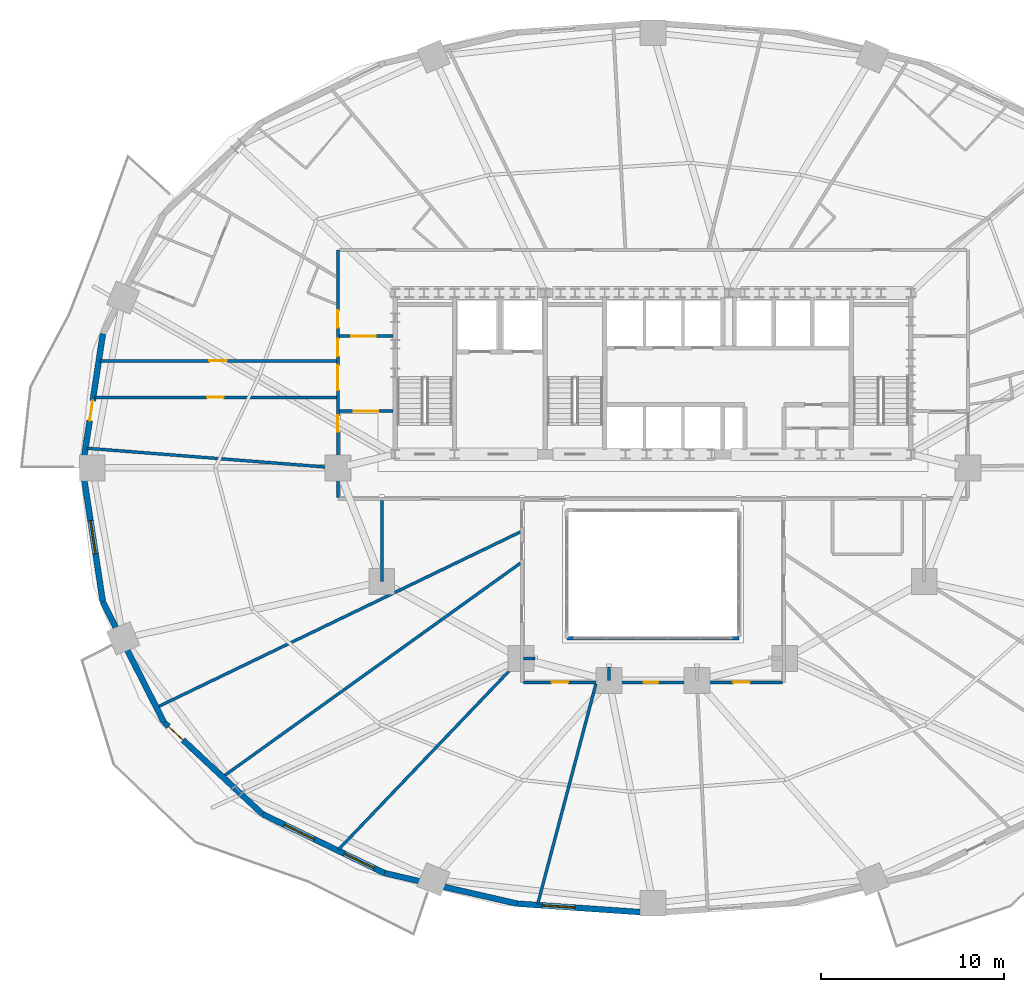
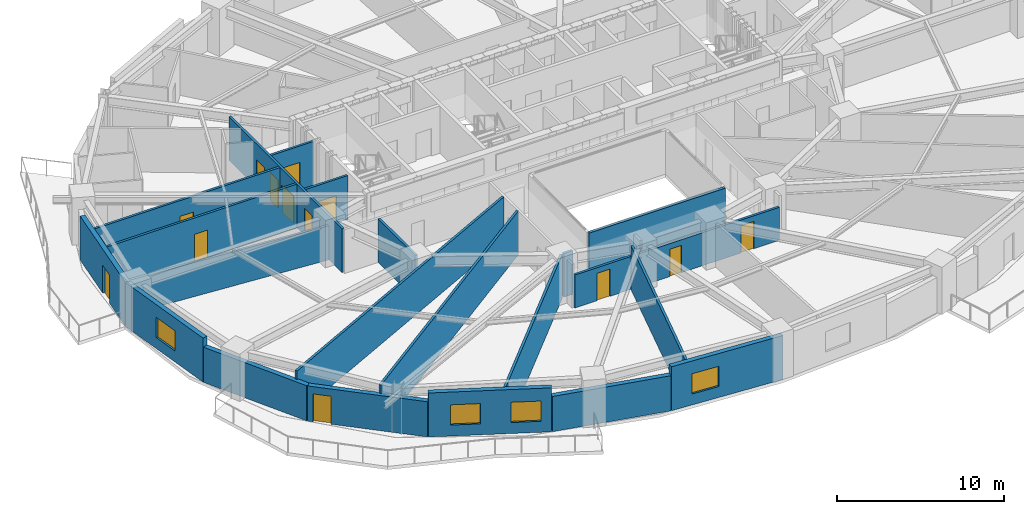
# One storey, part 9 of 17: 22 walls, 13 doors, 4 windows, 17 openings.
"""IFC4 building model written with IfcOpenShell, lengths in metres."""

from ifc_helpers import new_model, si_unit, direction, frame, frame_2d, origin, place, context, subcontext, project, spatial, rectangle, extrude, material, layer, layer_set, type_object, element, fill, save


model = new_model("IFC4")

# Units and contexts
model_context = context("Model", 3, precision=1e-05, world=origin(), true_north=direction((0.0, 1.0)))
body_context = subcontext(model_context, "Body", "Model", "MODEL_VIEW")
ifc_project = project(units=[si_unit("LENGTHUNIT", "METRE"), si_unit("AREAUNIT", "SQUARE_METRE"), si_unit("VOLUMEUNIT", "CUBIC_METRE"), si_unit("PLANEANGLEUNIT", "RADIAN"), si_unit("MASSUNIT", "GRAM", prefix="KILO")], contexts=[model_context])

# Site, building, storey
site_placement = place(None, origin())
site = spatial("IfcSite", under=ifc_project, at=site_placement, CompositionType="ELEMENT")
building_placement = place(site_placement, origin())
building = spatial("IfcBuilding", under=site, at=building_placement, Name="Haldorwick Loom Tower", CompositionType="ELEMENT")
storey_placement = place(building_placement, frame((0.0, 0.0, 37.800048828125)))
storey = spatial("IfcBuildingStorey", under=building, at=storey_placement, Name="L09", CompositionType="ELEMENT", Elevation=37.800048828125)

# Wall, opening, door
ifc_material_1 = material(Name="Pressed Clay Face Brick and Insulated Masonry Backup Assembly", Category="masonry")
ifc_layer_1 = layer(ifc_material_1, 0.320068359375, Name="Pressed Clay Face Brick and Insulated Masonry Backup Assembly", Category="masonry")
ifc_layer_set_1 = layer_set([ifc_layer_1], Name="Pressed Clay Face Brick and Insulated Masonry Backup Assembly")
wall_type_1 = type_object("IfcWallType", Name="ARC-WL-EXT320", PredefinedType="STANDARD", material=ifc_layer_set_1)
wall_1_placement = place(storey_placement, frame((5.978271484375, 33.320556640625, 0.0), z_axis=(0.0, 0.0, 1.0), x_axis=(-0.150476322528, -0.988613613278, 0.0)))
wall_1 = element("IfcWall", 1, at=wall_1_placement, inside=storey, type_object=wall_type_1, Name="L09 Brick Pier and Spandrel Wall 12", PredefinedType="STANDARD", context=body_context, shape_type="SweptSolid", body=[
    extrude(rectangle(XDim=7.40478515625, YDim=0.320068359375, at=frame_2d((3.702392578125, 0.0))), origin(), (0.0, 0.0, 1.0), 3.2099609375),
])
opening_1_placement = place(wall_1_placement, frame((3.702880859375, 0.0, 0.0)))
opening_1 = element("IfcOpeningElement", 2, at=opening_1_placement, cuts=wall_1, Name="Opening D-BL11", PredefinedType="OPENING", context=body_context, shape_type="SweptSolid", body=[
    extrude(rectangle(XDim=1.080078125, YDim=2.0400390625, at=frame_2d((0.5400390625, 1.02001953125))), frame((0.0, 0.169921875, 0.0), z_axis=(0.0, -1.0, 0.0), x_axis=(1.0, 0.0, 0.0)), (0.0, 0.0, 1.0), 0.340087890625),
])
ifc_material_2 = material(Name="Thermally Broken Anodized Aluminium Curtain Wall Framing", Category="aluminium")
door_type_1 = type_object("IfcDoorType", Name="ARC-DR-BAL110", OperationType="NOTDEFINED", PredefinedType="DOOR", material=ifc_material_2)
door_1_placement = place(opening_1_placement, origin())
door_1 = element("IfcDoor", 3, at=door_1_placement, inside=storey, type_object=door_type_1, Name="L09 Outdoor Terrace Door SLB-L09-BAL_WNW", OperationType="SINGLE_SWING_LEFT", OverallHeight=2.0400390625, OverallWidth=1.080078125, PredefinedType="DOOR", context=body_context, shape_type="SweptSolid", body=[
    extrude(rectangle(XDim=1.080078125, YDim=2.0400390625, at=frame_2d((0.5400390625, 1.02001953125))), frame((0.0, 0.02490234375, 0.0), z_axis=(0.0, -1.0, 0.0), x_axis=(1.0, 0.0, 0.0)), (0.0, 0.0, 1.0), 0.050048828125),
])
fill(opening_1, door_1)

# Wall, opening, window
wall_2_placement = place(storey_placement, frame((4.864013671875, 26.0, 0.0), z_axis=(0.0, 0.0, 1.0), x_axis=(0.150476322528, -0.988613613278, 0.0)))
wall_2 = element("IfcWall", 4, at=wall_2_placement, inside=storey, type_object=wall_type_1, Name="L09 Brick Pier and Spandrel Wall 13", PredefinedType="STANDARD", context=body_context, shape_type="SweptSolid", body=[
    extrude(rectangle(XDim=7.40478515625, YDim=0.320068359375, at=frame_2d((3.702392578125, 0.0))), origin(), (0.0, 0.0, 1.0), 3.2099609375),
])
opening_2_placement = place(wall_2_placement, frame((2.922607421875, 0.0, 0.800048828125)))
opening_2 = element("IfcOpeningElement", 5, at=opening_2_placement, cuts=wall_2, Name="Opening W-01", PredefinedType="OPENING", context=body_context, shape_type="SweptSolid", body=[
    extrude(rectangle(XDim=1.800048828125, YDim=1.47998046875, at=frame_2d((0.89990234375, 0.739990234375))), frame((0.0, 0.169921875, 0.0), z_axis=(0.0, -1.0, 0.0), x_axis=(1.0, 0.0, 0.0)), (0.0, 0.0, 1.0), 0.340087890625),
])
ifc_material_3 = material(Name="Triple-Glazed Low-E Argon Insulated Glazing Unit", Category="glass")
window_type = type_object("IfcWindowType", Name="ARC-WIN-W180", PartitioningType="SINGLE_PANEL", PredefinedType="WINDOW", material=ifc_material_3)
window_1_placement = place(opening_2_placement, origin())
window_1 = element("IfcWindow", 6, at=window_1_placement, inside=storey, type_object=window_type, Name="L09 Deep-Set Zone 7A Window 13", OverallHeight=1.47998046875, OverallWidth=1.800048828125, PartitioningType="SINGLE_PANEL", PredefinedType="WINDOW", context=body_context, shape_type="SweptSolid", body=[
    extrude(rectangle(XDim=1.800048828125, YDim=1.47998046875, at=frame_2d((0.89990234375, 0.739990234375))), frame((0.0, 0.030029296875, 0.0), z_axis=(0.0, -1.0, 0.0), x_axis=(1.0, 0.0, 0.0)), (0.0, 0.0, 1.0), 0.06005859375),
])
fill(opening_2, window_1)

# Wall
wall_3_placement = place(storey_placement, frame((5.978271484375, 18.679443359375, 0.0), z_axis=(0.0, 0.0, 1.0), x_axis=(0.452950855928, -0.891535485617, 0.0)))
element("IfcWall", 7, at=wall_3_placement, inside=storey, type_object=wall_type_1, Name="L09 Brick Pier and Spandrel Wall 14", PredefinedType="STANDARD", context=body_context, shape_type="SweptSolid", body=[
    extrude(rectangle(XDim=7.3583984375, YDim=0.320068359375, at=frame_2d((3.67919921875, 0.0))), origin(), (0.0, 0.0, 1.0), 2.56884765625),
])

# Wall, opening, door
wall_4_placement = place(storey_placement, frame((9.311279296875, 12.119140625, 0.0), z_axis=(0.0, 0.0, 1.0), x_axis=(0.73176101237, -0.681561311091, 0.0)))
wall_4 = element("IfcWall", 8, at=wall_4_placement, inside=storey, type_object=wall_type_1, Name="L09 Brick Pier and Spandrel Wall 15", PredefinedType="STANDARD", context=body_context, shape_type="SweptSolid", body=[
    extrude(rectangle(XDim=7.3583984375, YDim=0.320068359375, at=frame_2d((3.67919921875, 0.0))), origin(), (0.0, 0.0, 1.0), 2.56884765625),
])
opening_3_placement = place(wall_4_placement, frame((0.340087890625, 0.0, 0.0)))
opening_3 = element("IfcOpeningElement", 9, at=opening_3_placement, cuts=wall_4, Name="Opening D-BL11", PredefinedType="OPENING", context=body_context, shape_type="SweptSolid", body=[
    extrude(rectangle(XDim=1.080078125, YDim=2.0400390625, at=frame_2d((0.5400390625, 1.02001953125))), frame((0.0, 0.169921875, 0.0), z_axis=(0.0, -1.0, 0.0), x_axis=(1.0, 0.0, 0.0)), (0.0, 0.0, 1.0), 0.340087890625),
])
door_2_placement = place(opening_3_placement, origin())
door_2 = element("IfcDoor", 10, at=door_2_placement, inside=storey, type_object=door_type_1, Name="L09 Outdoor Terrace Door SLB-L09-BAL_SW", OperationType="SINGLE_SWING_LEFT", OverallHeight=2.0400390625, OverallWidth=1.080078125, PredefinedType="DOOR", context=body_context, shape_type="SweptSolid", body=[
    extrude(rectangle(XDim=1.080078125, YDim=2.0400390625, at=frame_2d((0.5400390625, 1.02001953125))), frame((0.0, 0.02490234375, 0.0), z_axis=(0.0, -1.0, 0.0), x_axis=(1.0, 0.0, 0.0)), (0.0, 0.0, 1.0), 0.050048828125),
])
fill(opening_3, door_2)

# Wall, openings, windows
wall_5_placement = place(storey_placement, frame((14.69580078125, 7.10400390625, 0.0), z_axis=(0.0, 0.0, 1.0), x_axis=(0.900295710431, -0.435278800057, 0.0)))
wall_5 = element("IfcWall", 11, at=wall_5_placement, inside=storey, type_object=wall_type_1, Name="L09 Brick Pier and Spandrel Wall 16", PredefinedType="STANDARD", context=body_context, shape_type="SweptSolid", body=[
    extrude(rectangle(XDim=7.39697265625, YDim=0.320068359375, at=frame_2d((3.698486328125, 0.0))), origin(), (0.0, 0.0, 1.0), 3.2099609375),
])
opening_4_placement = place(wall_5_placement, frame((1.319091796875, 0.0, 0.800048828125)))
opening_4 = element("IfcOpeningElement", 12, at=opening_4_placement, cuts=wall_5, Name="Opening W-01", PredefinedType="OPENING", context=body_context, shape_type="SweptSolid", body=[
    extrude(rectangle(XDim=1.800048828125, YDim=1.47998046875, at=frame_2d((0.89990234375, 0.739990234375))), frame((0.0, 0.169921875, 0.0), z_axis=(0.0, -1.0, 0.0), x_axis=(1.0, 0.0, 0.0)), (0.0, 0.0, 1.0), 0.340087890625),
])
opening_5_placement = place(wall_5_placement, frame((4.957275390625, 0.0, 0.800048828125)))
opening_5 = element("IfcOpeningElement", 13, at=opening_5_placement, cuts=wall_5, Name="Opening W-01", PredefinedType="OPENING", context=body_context, shape_type="SweptSolid", body=[
    extrude(rectangle(XDim=1.800048828125, YDim=1.47998046875, at=frame_2d((0.89990234375, 0.739990234375))), frame((0.0, 0.169921875, 0.0), z_axis=(0.0, -1.0, 0.0), x_axis=(1.0, 0.0, 0.0)), (0.0, 0.0, 1.0), 0.340087890625),
])
window_2_placement = place(opening_4_placement, origin())
window_2 = element("IfcWindow", 14, at=window_2_placement, inside=storey, type_object=window_type, Name="L09 Deep-Set Zone 7A Window 16", OverallHeight=1.47998046875, OverallWidth=1.800048828125, PartitioningType="SINGLE_PANEL", PredefinedType="WINDOW", context=body_context, shape_type="SweptSolid", body=[
    extrude(rectangle(XDim=1.800048828125, YDim=1.47998046875, at=frame_2d((0.89990234375, 0.739990234375))), frame((0.0, 0.030029296875, 0.0), z_axis=(0.0, -1.0, 0.0), x_axis=(1.0, 0.0, 0.0)), (0.0, 0.0, 1.0), 0.06005859375),
])
fill(opening_4, window_2)
window_3_placement = place(opening_5_placement, origin())
window_3 = element("IfcWindow", 15, at=window_3_placement, inside=storey, type_object=window_type, Name="L09 Deep-Set Zone 7A Window 16", OverallHeight=1.47998046875, OverallWidth=1.800048828125, PartitioningType="SINGLE_PANEL", PredefinedType="WINDOW", context=body_context, shape_type="SweptSolid", body=[
    extrude(rectangle(XDim=1.800048828125, YDim=1.47998046875, at=frame_2d((0.89990234375, 0.739990234375))), frame((0.0, 0.030029296875, 0.0), z_axis=(0.0, -1.0, 0.0), x_axis=(1.0, 0.0, 0.0)), (0.0, 0.0, 1.0), 0.06005859375),
])
fill(opening_5, window_3)

# Wall
wall_6_placement = place(storey_placement, frame((21.355224609375, 3.88427734375, 0.0), z_axis=(0.0, 0.0, 1.0), x_axis=(0.974522412345, -0.224290142088, 0.0)))
element("IfcWall", 16, at=wall_6_placement, inside=storey, type_object=wall_type_1, Name="L09 Brick Pier and Spandrel Wall 17", PredefinedType="STANDARD", context=body_context, shape_type="SweptSolid", body=[
    extrude(rectangle(XDim=7.422607421875, YDim=0.320068359375, at=frame_2d((3.71142578125, 0.0))), origin(), (0.0, 0.0, 1.0), 2.56884765625),
])

# Wall, opening, window
wall_7_placement = place(storey_placement, frame((28.588623046875, 2.219482421875, 0.0), z_axis=(0.0, 0.0, 1.0), x_axis=(0.997645161917, -0.068586667092, 0.0)))
wall_7 = element("IfcWall", 17, at=wall_7_placement, inside=storey, type_object=wall_type_1, Name="L09 Brick Pier and Spandrel Wall 18", PredefinedType="STANDARD", context=body_context, shape_type="SweptSolid", body=[
    extrude(rectangle(XDim=7.428955078125, YDim=0.320068359375, at=frame_2d((3.71435546875, 0.0))), origin(), (0.0, 0.0, 1.0), 3.2099609375),
])
opening_6_placement = place(wall_7_placement, frame((1.365966796875, 0.0, 0.800048828125)))
opening_6 = element("IfcOpeningElement", 18, at=opening_6_placement, cuts=wall_7, Name="Opening W-01", PredefinedType="OPENING", context=body_context, shape_type="SweptSolid", body=[
    extrude(rectangle(XDim=1.800048828125, YDim=1.47998046875, at=frame_2d((0.89990234375, 0.739990234375))), frame((0.0, 0.169921875, 0.0), z_axis=(0.0, -1.0, 0.0), x_axis=(1.0, 0.0, 0.0)), (0.0, 0.0, 1.0), 0.340087890625),
])
window_4_placement = place(opening_6_placement, origin())
window_4 = element("IfcWindow", 19, at=window_4_placement, inside=storey, type_object=window_type, Name="L09 Deep-Set Zone 7A Window 18", OverallHeight=1.47998046875, OverallWidth=1.800048828125, PartitioningType="SINGLE_PANEL", PredefinedType="WINDOW", context=body_context, shape_type="SweptSolid", body=[
    extrude(rectangle(XDim=1.800048828125, YDim=1.47998046875, at=frame_2d((0.89990234375, 0.739990234375))), frame((0.0, 0.030029296875, 0.0), z_axis=(0.0, -1.0, 0.0), x_axis=(1.0, 0.0, 0.0)), (0.0, 0.0, 1.0), 0.06005859375),
])
fill(opening_6, window_4)

# Wall, openings, doors
ifc_material_4 = material(Name="Fire-Rated Type X Gypsum Stud Assembly EI 60")
ifc_layer_2 = layer(ifc_material_4, 0.159912109375, Name="Fire-Rated Type X Gypsum Stud Assembly EI 60")
ifc_layer_set_2 = layer_set([ifc_layer_2], Name="Fire-Rated Type X Gypsum Stud Assembly EI 60")
wall_type_2 = type_object("IfcWallType", Name="ARC-WL-FIRE160", PredefinedType="PARTITIONING", material=ifc_layer_set_2)
wall_8_placement = place(storey_placement, frame((18.800048828125, 24.383056640625, 0.0), z_axis=(0.0, 0.0, 1.0), x_axis=(0.0, 1.0, 0.0)))
wall_8 = element("IfcWall", 20, at=wall_8_placement, inside=storey, type_object=wall_type_2, Name="L09 Residential Fire Partition L09-CR-W0", PredefinedType="PARTITIONING", context=body_context, shape_type="SweptSolid", body=[
    extrude(rectangle(XDim=13.516845703125, YDim=0.159912109375, at=frame_2d((6.75830078125, 0.0))), origin(), (0.0, 0.0, 1.0), 3.195068359375),
])
opening_7_placement = place(wall_8_placement, frame((5.86181640625, 0.0, 0.0)))
opening_7 = element("IfcOpeningElement", 21, at=opening_7_placement, cuts=wall_8, Name="Opening D-CR15", PredefinedType="OPENING", context=body_context, shape_type="SweptSolid", body=[
    extrude(rectangle(XDim=1.35009765625, YDim=2.0, at=frame_2d((0.675048828125, 1.0))), frame((0.0, 0.08984375, 0.0), z_axis=(0.0, -1.0, 0.0), x_axis=(1.0, 0.0, 0.0)), (0.0, 0.0, 1.0), 0.179931640625),
])
opening_8_placement = place(wall_8_placement, frame((3.5908203125, 0.0, 0.0)))
opening_8 = element("IfcOpeningElement", 22, at=opening_8_placement, cuts=wall_8, Name="Opening D-FD60A", PredefinedType="OPENING", context=body_context, shape_type="SweptSolid", body=[
    extrude(rectangle(XDim=0.89990234375, YDim=2.0, at=frame_2d((0.449951171875, 1.0))), frame((0.0, 0.08984375, 0.0), z_axis=(0.0, -1.0, 0.0), x_axis=(1.0, 0.0, 0.0)), (0.0, 0.0, 1.0), 0.179931640625),
])
opening_9_placement = place(wall_8_placement, frame((9.27490234375, 0.0, 0.0)))
opening_9 = element("IfcOpeningElement", 23, at=opening_9_placement, cuts=wall_8, Name="Opening D-FL95", PredefinedType="OPENING", context=body_context, shape_type="SweptSolid", body=[
    extrude(rectangle(XDim=0.949951171875, YDim=2.0400390625, at=frame_2d((0.47509765625, 1.02001953125))), frame((0.0, 0.08984375, 0.0), z_axis=(0.0, -1.0, 0.0), x_axis=(1.0, 0.0, 0.0)), (0.0, 0.0, 1.0), 0.179931640625),
])
opening_10_placement = place(wall_8_placement, frame((7.723876953125, 0.0, 0.0)))
opening_10 = element("IfcOpeningElement", 24, at=opening_10_placement, cuts=wall_8, Name="Opening D-FL95", PredefinedType="OPENING", context=body_context, shape_type="SweptSolid", body=[
    extrude(rectangle(XDim=0.949951171875, YDim=2.0400390625, at=frame_2d((0.47509765625, 1.02001953125))), frame((0.0, 0.08984375, 0.0), z_axis=(0.0, -1.0, 0.0), x_axis=(1.0, 0.0, 0.0)), (0.0, 0.0, 1.0), 0.179931640625),
])
ifc_material_5 = material(Name="Thermally Broken Anodized Aluminium and Tempered Glass", Category="aluminium")
door_type_2 = type_object("IfcDoorType", Name="ARC-DR-COR150", OperationType="NOTDEFINED", PredefinedType="DOOR", material=ifc_material_5)
door_3_placement = place(opening_7_placement, origin())
door_3 = element("IfcDoor", 25, at=door_3_placement, inside=storey, type_object=door_type_2, Name="L09 L09 West Daylight Corridor to L09 West Residential Corridor Door", OperationType="DOUBLE_DOOR_SINGLE_SWING", OverallHeight=2.0, OverallWidth=1.35009765625, PredefinedType="DOOR", context=body_context, shape_type="SweptSolid", body=[
    extrude(rectangle(XDim=1.35009765625, YDim=2.0, at=frame_2d((0.675048828125, 1.0))), frame((0.0, 0.02490234375, 0.0), z_axis=(0.0, -1.0, 0.0), x_axis=(1.0, 0.0, 0.0)), (0.0, 0.0, 1.0), 0.050048828125),
])
fill(opening_7, door_3)
ifc_material_6 = material(Name="Hollow Steel Fire Door Assembly", Category="steel")
door_type_3 = type_object("IfcDoorType", Name="ARC-DR-FD60-90", OperationType="NOTDEFINED", PredefinedType="DOOR", material=ifc_material_6)
door_4_placement = place(opening_8_placement, frame((0.89990234375, 0.0, 0.0), z_axis=(0.0, 0.0, 1.0), x_axis=(-1.0, 0.0, 0.0)))
door_4 = element("IfcDoor", 26, at=door_4_placement, inside=storey, type_object=door_type_3, Name="L09 Community Library Room 1 to L09 Central Residential Corridor Door", OperationType="SINGLE_SWING_LEFT", OverallHeight=2.0, OverallWidth=0.89990234375, PredefinedType="DOOR", context=body_context, shape_type="SweptSolid", body=[
    extrude(rectangle(XDim=0.89990234375, YDim=2.0, at=frame_2d((0.449951171875, 1.0))), frame((0.0, 0.02490234375, 0.0), z_axis=(0.0, -1.0, 0.0), x_axis=(1.0, 0.0, 0.0)), (0.0, 0.0, 1.0), 0.050048828125),
])
fill(opening_8, door_4)
ifc_material_7 = material(Name="Solid Core Birch Architectural Door")
door_type_4 = type_object("IfcDoorType", Name="ARC-DR-FLAT95", OperationType="NOTDEFINED", PredefinedType="DOOR", material=ifc_material_7)
door_5_placement = place(opening_9_placement, frame((0.949951171875, 0.0, 0.0), z_axis=(0.0, 0.0, 1.0), x_axis=(-1.0, 0.0, 0.0)))
door_5 = element("IfcDoor", 27, at=door_5_placement, inside=storey, type_object=door_type_4, Name="L09 Unit 09A Kitchen and Living Room to L09 North Residential Corridor D", OperationType="SINGLE_SWING_LEFT", OverallHeight=2.0400390625, OverallWidth=0.949951171875, PredefinedType="DOOR", context=body_context, shape_type="SweptSolid", body=[
    extrude(rectangle(XDim=0.949951171875, YDim=2.0400390625, at=frame_2d((0.47509765625, 1.02001953125))), frame((0.0, 0.02490234375, 0.0), z_axis=(0.0, -1.0, 0.0), x_axis=(1.0, 0.0, 0.0)), (0.0, 0.0, 1.0), 0.050048828125),
])
fill(opening_9, door_5)
door_6_placement = place(opening_10_placement, frame((0.949951171875, 0.0, 0.0), z_axis=(0.0, 0.0, 1.0), x_axis=(-1.0, 0.0, 0.0)))
door_6 = element("IfcDoor", 28, at=door_6_placement, inside=storey, type_object=door_type_4, Name="L09 Unit 09A Kitchen and Living Room to L09 West Residential Corridor Do", OperationType="SINGLE_SWING_RIGHT", OverallHeight=2.0400390625, OverallWidth=0.949951171875, PredefinedType="DOOR", context=body_context, shape_type="SweptSolid", body=[
    extrude(rectangle(XDim=0.949951171875, YDim=2.0400390625, at=frame_2d((0.47509765625, 1.02001953125))), frame((0.0, 0.02490234375, 0.0), z_axis=(0.0, -1.0, 0.0), x_axis=(1.0, 0.0, 0.0)), (0.0, 0.0, 1.0), 0.050048828125),
])
fill(opening_10, door_6)

# Wall, opening, door
wall_9_placement = place(storey_placement, frame((18.883056640625, 29.10009765625, 0.0), z_axis=(0.0, 0.0, 1.0), x_axis=(1.0, 0.0, 0.0)))
wall_9 = element("IfcWall", 29, at=wall_9_placement, inside=storey, type_object=wall_type_2, Name="L09 Residential Fire Partition L09-CR-WSJ", PredefinedType="PARTITIONING", context=body_context, shape_type="SweptSolid", body=[
    extrude(rectangle(XDim=2.923828125, YDim=0.159912109375, at=frame_2d((1.4619140625, 0.0))), origin(), (0.0, 0.0, 1.0), 3.195068359375),
])
opening_11_placement = place(wall_9_placement, frame((0.787109375, 0.0, 0.0)))
opening_11 = element("IfcOpeningElement", 30, at=opening_11_placement, cuts=wall_9, Name="Opening D-CR15", PredefinedType="OPENING", context=body_context, shape_type="SweptSolid", body=[
    extrude(rectangle(XDim=1.35009765625, YDim=2.0, at=frame_2d((0.675048828125, 1.0))), frame((0.0, 0.08984375, 0.0), z_axis=(0.0, -1.0, 0.0), x_axis=(1.0, 0.0, 0.0)), (0.0, 0.0, 1.0), 0.179931640625),
])
door_7_placement = place(opening_11_placement, origin())
door_7 = element("IfcDoor", 31, at=door_7_placement, inside=storey, type_object=door_type_2, Name="L09 L09 West Residential Corridor to L09 Central Residential Corridor Do", OperationType="DOUBLE_DOOR_SINGLE_SWING", OverallHeight=2.0, OverallWidth=1.35009765625, PredefinedType="DOOR", context=body_context, shape_type="SweptSolid", body=[
    extrude(rectangle(XDim=1.35009765625, YDim=2.0, at=frame_2d((0.675048828125, 1.0))), frame((0.0, 0.02490234375, 0.0), z_axis=(0.0, -1.0, 0.0), x_axis=(1.0, 0.0, 0.0)), (0.0, 0.0, 1.0), 0.050048828125),
])
fill(opening_11, door_7)

wall_10_placement = place(storey_placement, frame((18.883056640625, 33.199951171875, 0.0), z_axis=(0.0, 0.0, 1.0), x_axis=(1.0, 0.0, 0.0)))
wall_10 = element("IfcWall", 32, at=wall_10_placement, inside=storey, type_object=wall_type_2, Name="L09 Residential Fire Partition L09-CR-WNJ", PredefinedType="PARTITIONING", context=body_context, shape_type="SweptSolid", body=[
    extrude(rectangle(XDim=2.923828125, YDim=0.159912109375, at=frame_2d((1.4619140625, 0.0))), origin(), (0.0, 0.0, 1.0), 3.195068359375),
])
opening_12_placement = place(wall_10_placement, frame((0.637939453125, 0.0, 0.0)))
opening_12 = element("IfcOpeningElement", 33, at=opening_12_placement, cuts=wall_10, Name="Opening D-CR15", PredefinedType="OPENING", context=body_context, shape_type="SweptSolid", body=[
    extrude(rectangle(XDim=1.35009765625, YDim=2.0, at=frame_2d((0.675048828125, 1.0))), frame((0.0, 0.08984375, 0.0), z_axis=(0.0, -1.0, 0.0), x_axis=(1.0, 0.0, 0.0)), (0.0, 0.0, 1.0), 0.179931640625),
])
door_8_placement = place(opening_12_placement, origin())
door_8 = element("IfcDoor", 34, at=door_8_placement, inside=storey, type_object=door_type_2, Name="L09 L09 North Residential Corridor to L09 West Residential Corridor Door", OperationType="DOUBLE_DOOR_SINGLE_SWING", OverallHeight=2.0, OverallWidth=1.35009765625, PredefinedType="DOOR", context=body_context, shape_type="SweptSolid", body=[
    extrude(rectangle(XDim=1.35009765625, YDim=2.0, at=frame_2d((0.675048828125, 1.0))), frame((0.0, 0.02490234375, 0.0), z_axis=(0.0, -1.0, 0.0), x_axis=(1.0, 0.0, 0.0)), (0.0, 0.0, 1.0), 0.050048828125),
])
fill(opening_12, door_8)

# Wall, openings, doors
wall_11_placement = place(storey_placement, frame((28.93310546875, 14.300048828125, 0.0), z_axis=(0.0, 0.0, 1.0), x_axis=(1.0, 0.0, 0.0)))
wall_11 = element("IfcWall", 35, at=wall_11_placement, inside=storey, type_object=wall_type_2, Name="L09 Residential Fire Partition L09-CR-AS", PredefinedType="PARTITIONING", context=body_context, shape_type="SweptSolid", body=[
    extrude(rectangle(XDim=14.1337890625, YDim=0.159912109375, at=frame_2d((7.06689453125, 0.0))), origin(), (0.0, 0.0, 1.0), 2.411865234375),
])
opening_13_placement = place(wall_11_placement, frame((11.455322265625, 0.0, 0.0)))
opening_13 = element("IfcOpeningElement", 36, at=opening_13_placement, cuts=wall_11, Name="Opening D-FD60A", PredefinedType="OPENING", context=body_context, shape_type="SweptSolid", body=[
    extrude(rectangle(XDim=0.89990234375, YDim=2.0, at=frame_2d((0.449951171875, 1.0))), frame((0.0, 0.08984375, 0.0), z_axis=(0.0, -1.0, 0.0), x_axis=(1.0, 0.0, 0.0)), (0.0, 0.0, 1.0), 0.179931640625),
])
opening_14_placement = place(wall_11_placement, frame((1.53759765625, 0.0, 0.0)))
opening_14 = element("IfcOpeningElement", 37, at=opening_14_placement, cuts=wall_11, Name="Opening D-FD60A", PredefinedType="OPENING", context=body_context, shape_type="SweptSolid", body=[
    extrude(rectangle(XDim=0.89990234375, YDim=2.0, at=frame_2d((0.449951171875, 1.0))), frame((0.0, 0.08984375, 0.0), z_axis=(0.0, -1.0, 0.0), x_axis=(1.0, 0.0, 0.0)), (0.0, 0.0, 1.0), 0.179931640625),
])
opening_15_placement = place(wall_11_placement, frame((6.555419921875, 0.0, 0.0)))
opening_15 = element("IfcOpeningElement", 38, at=opening_15_placement, cuts=wall_11, Name="Opening D-FD80", PredefinedType="OPENING", context=body_context, shape_type="SweptSolid", body=[
    extrude(rectangle(XDim=0.800048828125, YDim=2.0, at=frame_2d((0.39990234375, 1.0))), frame((0.0, 0.08984375, 0.0), z_axis=(0.0, -1.0, 0.0), x_axis=(1.0, 0.0, 0.0)), (0.0, 0.0, 1.0), 0.179931640625),
])
door_type_5 = type_object("IfcDoorType", Name="ARC-DR-FD60-80", OperationType="NOTDEFINED", PredefinedType="DOOR", material=ifc_material_6)
door_9_placement = place(opening_15_placement, origin())
door_9 = element("IfcDoor", 39, at=door_9_placement, inside=storey, type_object=door_type_5, Name="L09 L09 South Atrium Corridor to Shared Resident Dining Hall 2 Door", OperationType="SINGLE_SWING_LEFT", OverallHeight=2.0, OverallWidth=0.800048828125, PredefinedType="DOOR", context=body_context, shape_type="SweptSolid", body=[
    extrude(rectangle(XDim=0.800048828125, YDim=2.0, at=frame_2d((0.39990234375, 1.0))), frame((0.0, 0.02490234375, 0.0), z_axis=(0.0, -1.0, 0.0), x_axis=(1.0, 0.0, 0.0)), (0.0, 0.0, 1.0), 0.050048828125),
])
fill(opening_15, door_9)
door_10_placement = place(opening_13_placement, origin())
door_10 = element("IfcDoor", 40, at=door_10_placement, inside=storey, type_object=door_type_3, Name="L09 L09 South Atrium Corridor to Shared Resident Dining Hall 5 Door", OperationType="SINGLE_SWING_LEFT", OverallHeight=2.0, OverallWidth=0.89990234375, PredefinedType="DOOR", context=body_context, shape_type="SweptSolid", body=[
    extrude(rectangle(XDim=0.89990234375, YDim=2.0, at=frame_2d((0.449951171875, 1.0))), frame((0.0, 0.02490234375, 0.0), z_axis=(0.0, -1.0, 0.0), x_axis=(1.0, 0.0, 0.0)), (0.0, 0.0, 1.0), 0.050048828125),
])
fill(opening_13, door_10)
door_11_placement = place(opening_14_placement, origin())
door_11 = element("IfcDoor", 41, at=door_11_placement, inside=storey, type_object=door_type_3, Name="L09 L09 South Atrium Corridor to Shared Resident Dining Hall 3 Door", OperationType="SINGLE_SWING_LEFT", OverallHeight=2.0, OverallWidth=0.89990234375, PredefinedType="DOOR", context=body_context, shape_type="SweptSolid", body=[
    extrude(rectangle(XDim=0.89990234375, YDim=2.0, at=frame_2d((0.449951171875, 1.0))), frame((0.0, 0.02490234375, 0.0), z_axis=(0.0, -1.0, 0.0), x_axis=(1.0, 0.0, 0.0)), (0.0, 0.0, 1.0), 0.050048828125),
])
fill(opening_14, door_11)

# Wall, opening, door
wall_12_placement = place(storey_placement, frame((5.515625, 29.85009765625, 0.0), z_axis=(0.0, 0.0, 1.0), x_axis=(1.0, 0.0, 0.0)))
wall_12 = element("IfcWall", 42, at=wall_12_placement, inside=storey, type_object=wall_type_2, Name="L09 Residential Fire Partition L09-CR-GW0", PredefinedType="PARTITIONING", context=body_context, shape_type="SweptSolid", body=[
    extrude(rectangle(XDim=13.201416015625, YDim=0.159912109375, at=frame_2d((6.6005859375, 0.0))), origin(), (0.0, 0.0, 1.0), 3.195068359375),
])
opening_16_placement = place(wall_12_placement, frame((6.150634765625, 0.0, 0.0)))
opening_16 = element("IfcOpeningElement", 43, at=opening_16_placement, cuts=wall_12, Name="Opening D-FD60A", PredefinedType="OPENING", context=body_context, shape_type="SweptSolid", body=[
    extrude(rectangle(XDim=0.89990234375, YDim=2.0, at=frame_2d((0.449951171875, 1.0))), frame((0.0, 0.08984375, 0.0), z_axis=(0.0, -1.0, 0.0), x_axis=(1.0, 0.0, 0.0)), (0.0, 0.0, 1.0), 0.179931640625),
])
door_12_placement = place(opening_16_placement, origin())
door_12 = element("IfcDoor", 44, at=door_12_placement, inside=storey, type_object=door_type_3, Name="L09 L09 West Daylight Corridor to Community Library Room 1 Door", OperationType="SINGLE_SWING_LEFT", OverallHeight=2.0, OverallWidth=0.89990234375, PredefinedType="DOOR", context=body_context, shape_type="SweptSolid", body=[
    extrude(rectangle(XDim=0.89990234375, YDim=2.0, at=frame_2d((0.449951171875, 1.0))), frame((0.0, 0.02490234375, 0.0), z_axis=(0.0, -1.0, 0.0), x_axis=(1.0, 0.0, 0.0)), (0.0, 0.0, 1.0), 0.050048828125),
])
fill(opening_16, door_12)

wall_13_placement = place(storey_placement, frame((5.820068359375, 31.85009765625, 0.0), z_axis=(0.0, 0.0, 1.0), x_axis=(1.0, 0.0, 0.0)))
wall_13 = element("IfcWall", 45, at=wall_13_placement, inside=storey, type_object=wall_type_2, Name="L09 Residential Fire Partition L09-CR-GW1", PredefinedType="PARTITIONING", context=body_context, shape_type="SweptSolid", body=[
    extrude(rectangle(XDim=12.89697265625, YDim=0.159912109375, at=frame_2d((6.448486328125, 0.0))), origin(), (0.0, 0.0, 1.0), 3.195068359375),
])
opening_17_placement = place(wall_13_placement, frame((5.973388671875, 0.0, 0.0)))
opening_17 = element("IfcOpeningElement", 46, at=opening_17_placement, cuts=wall_13, Name="Opening D-FL95", PredefinedType="OPENING", context=body_context, shape_type="SweptSolid", body=[
    extrude(rectangle(XDim=0.949951171875, YDim=2.0400390625, at=frame_2d((0.47509765625, 1.02001953125))), frame((0.0, 0.08984375, 0.0), z_axis=(0.0, -1.0, 0.0), x_axis=(1.0, 0.0, 0.0)), (0.0, 0.0, 1.0), 0.179931640625),
])
door_13_placement = place(opening_17_placement, frame((0.949951171875, 0.0, 0.0), z_axis=(0.0, 0.0, 1.0), x_axis=(-1.0, 0.0, 0.0)))
door_13 = element("IfcDoor", 47, at=door_13_placement, inside=storey, type_object=door_type_4, Name="L09 Unit 09A Kitchen and Living Room to L09 West Daylight Corridor Door", OperationType="SINGLE_SWING_RIGHT", OverallHeight=2.0400390625, OverallWidth=0.949951171875, PredefinedType="DOOR", context=body_context, shape_type="SweptSolid", body=[
    extrude(rectangle(XDim=0.949951171875, YDim=2.0400390625, at=frame_2d((0.47509765625, 1.02001953125))), frame((0.0, 0.02490234375, 0.0), z_axis=(0.0, -1.0, 0.0), x_axis=(1.0, 0.0, 0.0)), (0.0, 0.0, 1.0), 0.050048828125),
])
fill(opening_17, door_13)

# Walls
wall_14_placement = place(storey_placement, frame((28.76708984375, 15.5654296875, 0.0), z_axis=(0.0, 0.0, 1.0), x_axis=(-0.690829161036, -0.723018029002, 0.0)))
element("IfcWall", 48, at=wall_14_placement, inside=storey, type_object=wall_type_2, Name="L09 Residential Fire Partition L09-ICR-08", PredefinedType="PARTITIONING", context=body_context, shape_type="SweptSolid", body=[
    extrude(rectangle(XDim=14.372802734375, YDim=0.159912109375, at=frame_2d((7.1865234375, 0.0))), origin(), (0.0, 0.0, 1.0), 3.195068359375),
])
wall_15_placement = place(storey_placement, frame((18.717041015625, 26.006591796875, 0.0), z_axis=(0.0, 0.0, 1.0), x_axis=(-0.99691810959, 0.078449236903, 0.0)))
element("IfcWall", 49, at=wall_15_placement, inside=storey, type_object=wall_type_2, Name="L09 Residential Fire Partition L09-ICR-10", PredefinedType="PARTITIONING", context=body_context, shape_type="SweptSolid", body=[
    extrude(rectangle(XDim=13.665283203125, YDim=0.159912109375, at=frame_2d((6.83251953125, 0.0))), origin(), (0.0, 0.0, 1.0), 2.489990234375),
])
wall_16_placement = place(storey_placement, frame((33.60009765625, 15.14990234375, 0.0), z_axis=(0.0, 0.0, 1.0), x_axis=(0.0, -1.0, 0.0)))
element("IfcWall", 50, at=wall_16_placement, inside=storey, type_object=wall_type_2, Name="L09 Residential Fire Partition L09-ICA-06", PredefinedType="PARTITIONING", context=body_context, shape_type="SweptSolid", body=[
    extrude(rectangle(XDim=0.75, YDim=0.159912109375, at=frame_2d((0.375, 0.0))), origin(), (0.0, 0.0, 1.0), 3.195068359375),
])
wall_17_placement = place(storey_placement, frame((29.550048828125, 15.60009765625, 0.0), z_axis=(0.0, 0.0, 1.0), x_axis=(-1.0, 0.0, 0.0)))
element("IfcWall", 51, at=wall_17_placement, inside=storey, type_object=wall_type_2, Name="L09 Residential Fire Partition L09-ICA-07", PredefinedType="PARTITIONING", context=body_context, shape_type="SweptSolid", body=[
    extrude(rectangle(XDim=0.616943359375, YDim=0.159912109375, at=frame_2d((0.30859375, 0.0))), origin(), (0.0, 0.0, 1.0), 3.195068359375),
])
wall_18_placement = place(storey_placement, frame((21.199951171875, 24.217041015625, 0.0), z_axis=(0.0, 0.0, 1.0), x_axis=(0.0, -1.0, 0.0)))
element("IfcWall", 52, at=wall_18_placement, inside=storey, type_object=wall_type_2, Name="L09 Residential Fire Partition L09-ICA-09", PredefinedType="PARTITIONING", context=body_context, shape_type="SweptSolid", body=[
    extrude(rectangle(XDim=4.4169921875, YDim=0.159912109375, at=frame_2d((2.20849609375, 0.0))), origin(), (0.0, 0.0, 1.0), 3.195068359375),
])
wall_19_placement = place(storey_placement, frame((32.885986328125, 14.217041015625, 0.0), z_axis=(0.0, 0.0, 1.0), x_axis=(-0.255522498583, -0.966803109593, 0.0)))
element("IfcWall", 53, at=wall_19_placement, inside=storey, type_object=wall_type_2, Name="L09 Suite Split Wall", PredefinedType="PARTITIONING", context=body_context, shape_type="SweptSolid", body=[
    extrude(rectangle(XDim=12.421875, YDim=0.159912109375, at=frame_2d((6.2109375, 0.0))), origin(), (0.0, 0.0, 1.0), 3.195068359375),
])
wall_20_placement = place(storey_placement, frame((28.76708984375, 22.510498046875, 0.0), z_axis=(0.0, 0.0, 1.0), x_axis=(-0.900658917852, -0.434526769824, 0.0)))
element("IfcWall", 54, at=wall_20_placement, inside=storey, type_object=wall_type_2, Name="L09 Suite Split Wall", PredefinedType="PARTITIONING", context=body_context, shape_type="SweptSolid", body=[
    extrude(rectangle(XDim=21.9921875, YDim=0.159912109375, at=frame_2d((10.99609375, 0.0))), origin(), (0.0, 0.0, 1.0), 3.195068359375),
])
wall_21_placement = place(storey_placement, frame((28.76708984375, 20.806884765625, 0.0), z_axis=(0.0, 0.0, 1.0), x_axis=(-0.812313323995, -0.5832212819, 0.0)))
element("IfcWall", 55, at=wall_21_placement, inside=storey, type_object=wall_type_2, Name="L09 Suite Split Wall", PredefinedType="PARTITIONING", context=body_context, shape_type="SweptSolid", body=[
    extrude(rectangle(XDim=19.943359375, YDim=0.159912109375, at=frame_2d((9.9716796875, 0.0))), origin(), (0.0, 0.0, 1.0), 3.195068359375),
])
ifc_material_8 = material(Name="Fire-Rated Type X Gypsum Stud Assembly EI 120")
ifc_layer_3 = layer(ifc_material_8, 0.199951171875, Name="Fire-Rated Type X Gypsum Stud Assembly EI 120")
ifc_layer_set_3 = layer_set([ifc_layer_3], Name="Fire-Rated Type X Gypsum Stud Assembly EI 120")
wall_type_3 = type_object("IfcWallType", Name="ARC-WL-FIRE200", PredefinedType="PARTITIONING", material=ifc_layer_set_3)
wall_22_placement = place(storey_placement, frame((40.699951171875, 16.699951171875, 0.0), z_axis=(0.0, 0.0, 1.0), x_axis=(-1.0, 0.0, 0.0)))
element("IfcWall", 56, at=wall_22_placement, inside=storey, type_object=wall_type_3, Name="L09 Atrium Fire Enclosure Wall S", PredefinedType="PARTITIONING", context=body_context, shape_type="SweptSolid", body=[
    extrude(rectangle(XDim=9.39990234375, YDim=0.199951171875, at=frame_2d((4.699951171875, 0.0))), origin(), (0.0, 0.0, 1.0), 3.195068359375),
])

save(model, "model.ifc")
